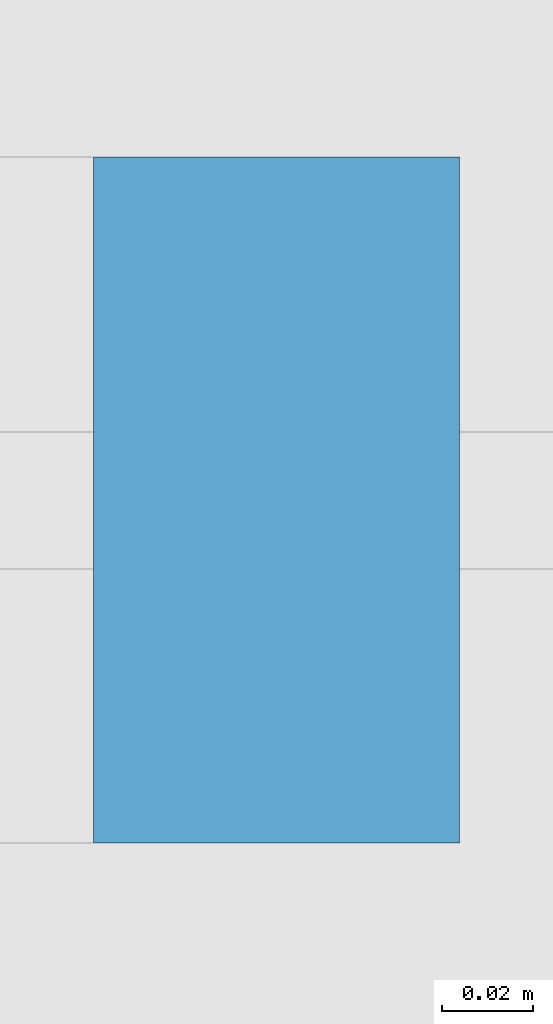
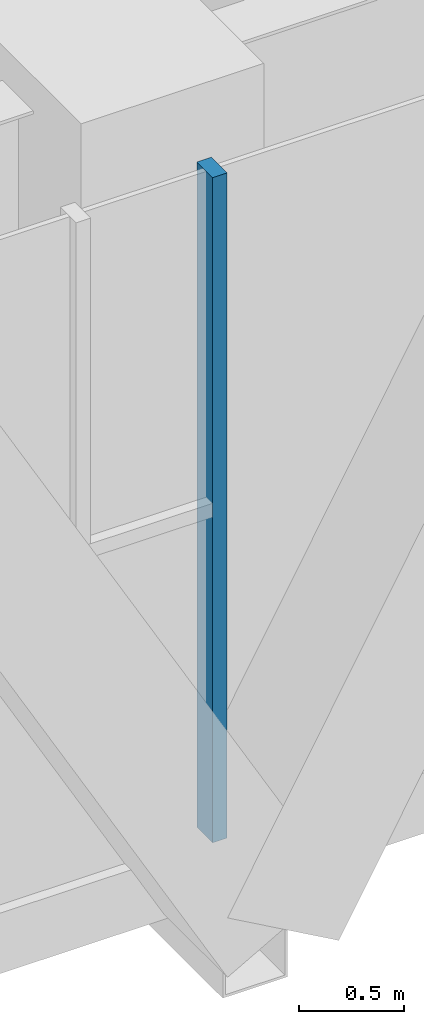
# One storey, part 5 of 21: 1 member, 1 element without a shape of its own.
"""IFC4 building model written with IfcOpenShell, lengths in metres."""

from ifc_helpers import new_model, si_unit, direction, frame, origin, origin_2d, place, context, subcontext, project, spatial, rectangle, extrude, material, layer, layer_set, material_profile, profile_set, type_object, element, aggregate, save


model = new_model("IFC4")

# Units and contexts
model_context = context("Model", 3, precision=1e-05, world=origin(), true_north=direction((0.0, 1.0)))
body_context = subcontext(model_context, "Body", "Model", "MODEL_VIEW")
ifc_project = project(units=[si_unit("LENGTHUNIT", "METRE"), si_unit("AREAUNIT", "SQUARE_METRE"), si_unit("VOLUMEUNIT", "CUBIC_METRE"), si_unit("PLANEANGLEUNIT", "RADIAN"), si_unit("MASSUNIT", "GRAM", prefix="KILO")], contexts=[model_context])

# Site, building, storey
site_placement = place(None, origin())
site = spatial("IfcSite", under=ifc_project, at=site_placement, CompositionType="ELEMENT")
building_placement = place(site_placement, origin())
building = spatial("IfcBuilding", under=site, at=building_placement, Name="Firuza Gate Tower and Library", CompositionType="ELEMENT")
storey_placement = place(building_placement, frame((0.0, 0.0, 73.60009765625)))
storey = spatial("IfcBuildingStorey", under=building, at=storey_placement, Name="L16", CompositionType="ELEMENT", Elevation=73.60009765625)

# Curtain wall, member
ifc_material_1 = material(Name="Aluminium 6063-T6", Category="aluminium")
ifc_layer = layer(ifc_material_1, 0.14990234375)
ifc_layer_set = layer_set([ifc_layer], Name="Unitised curtain wall, offices")
curtain_wall_type = type_object("IfcCurtainWallType", Name="Unitised curtain wall, offices", PredefinedType="NOTDEFINED", material=ifc_layer_set)
curtain_wall_placement = place(storey_placement, origin())
curtain_wall = element("IfcCurtainWall", 1, at=curtain_wall_placement, inside=storey, type_object=curtain_wall_type, Name="CW1 L16 S face", PredefinedType="NOTDEFINED")
ifc_material_2 = material(Name="Aluminium 6063-T6", Category="aluminium")
ifc_material_profile = material_profile(ifc_material_2, rectangle(XDim=0.14990234375, YDim=0.080078125, at=origin_2d()))
ifc_profile_set = profile_set([ifc_material_profile], Name="Aluminium 6063-T6")
member_type = type_object("IfcMemberType", Name="Curtain wall mullion 80x150", PredefinedType="MULLION", material=ifc_profile_set)
member_placement = place(storey_placement, frame((75.0, 54.339111328125, 0.14990234375), z_axis=(0.0, 0.0, 1.0), x_axis=(0.0, 1.0, 0.0)))
member = element("IfcMember", 2, at=member_placement, type_object=member_type, Name="Mullion", PredefinedType="MULLION", context=body_context, shape_type="SweptSolid", body=[
    extrude(rectangle(XDim=0.14990234375, YDim=0.080078125, at=origin_2d()), origin(), (0.0, 0.0, 1.0), 3.85009765625),
])
aggregate(curtain_wall, [member])

save(model, "model.ifc")
